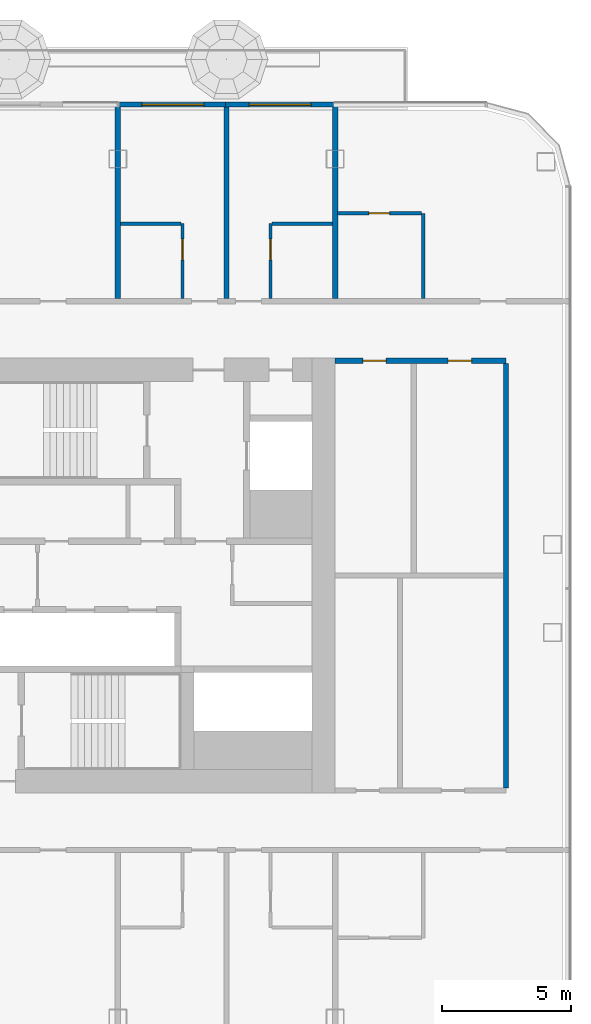
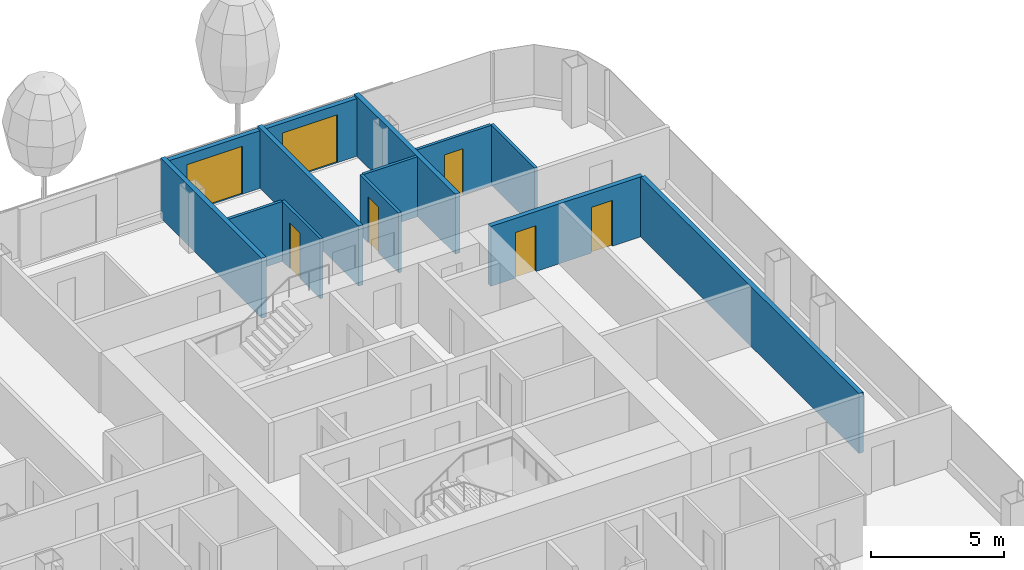
# One storey, part 16 of 30: 13 walls, 7 doors, 7 openings, 1 element without a shape of its own.
"""IFC4 building model written with IfcOpenShell, lengths in metres."""

from ifc_helpers import new_model, si_unit, direction, frame, frame_2d, origin, place, context, subcontext, project, spatial, rectangle, extrude, material, layer, layer_set, type_object, element, fill, aggregate, save


model = new_model("IFC4")

# Units and contexts
model_context = context("Model", 3, precision=1e-05, world=origin(), true_north=direction((0.0, 1.0)))
body_context = subcontext(model_context, "Body", "Model", "MODEL_VIEW")
ifc_project = project(units=[si_unit("LENGTHUNIT", "METRE"), si_unit("AREAUNIT", "SQUARE_METRE"), si_unit("VOLUMEUNIT", "CUBIC_METRE"), si_unit("PLANEANGLEUNIT", "RADIAN"), si_unit("MASSUNIT", "GRAM", prefix="KILO")], contexts=[model_context])

# Site, building, storey
site_placement = place(None, origin())
site = spatial("IfcSite", under=ifc_project, at=site_placement, CompositionType="ELEMENT")
building_placement = place(site_placement, origin())
building = spatial("IfcBuilding", under=site, at=building_placement, Name="Hakoniwa Tower and Hamabe Station Hall", CompositionType="ELEMENT")
storey_placement = place(building_placement, frame((0.0, 0.0, 137.39990234375)))
storey = spatial("IfcBuildingStorey", under=building, at=storey_placement, Name="L38", CompositionType="ELEMENT", Elevation=137.39990234375)

# Walls
ifc_material_1 = material(Name="Gypsum board partition", Category="gypsum")
ifc_layer_1 = layer(ifc_material_1, 0.125)
ifc_layer_set_1 = layer_set([ifc_layer_1], Name="Bathroom Partition 125")
wall_type_1 = type_object("IfcWallType", Name="Bathroom Partition 125", PredefinedType="PARTITIONING", material=ifc_layer_set_1)
for number, where, z_axis, x_axis, name in (
    (1, (25.300048828125, 13.60009765625, 0.0), (0.0, 0.0, 1.0), (1.0, 0.0, 0.0), "GW-L38-031"),
    (2, (31.16259765625, 13.60009765625, 0.0), (0.0, 0.0, 1.0), (1.0, 0.0, 0.0), "GW-L38-032"),
):
    element("IfcWall", number, at=place(storey_placement, frame(where, z_axis=z_axis, x_axis=x_axis)), inside=storey, type_object=wall_type_1, Name=name, PredefinedType="PARTITIONING", context=body_context, shape_type="SweptSolid", body=[
        extrude(rectangle(XDim=2.33740234375, YDim=0.125, at=frame_2d((1.168701171875, 0.0))), origin(), (0.0, 0.0, 1.0), 2.75),
    ])

# Wall, opening, door
wall_1_placement = place(storey_placement, frame((33.699951171875, 14.0, 0.0), z_axis=(0.0, 0.0, 1.0), x_axis=(1.0, 0.0, 0.0)))
wall_1 = element("IfcWall", 3, at=wall_1_placement, inside=storey, type_object=wall_type_1, Name="GW-L38-035", PredefinedType="PARTITIONING", context=body_context, shape_type="SweptSolid", body=[
    extrude(rectangle(XDim=3.237548828125, YDim=0.125, at=frame_2d((1.61865234375, 0.0))), origin(), (0.0, 0.0, 1.0), 2.75),
])
opening_1_placement = place(wall_1_placement, frame((1.199951171875, 0.0, 0.0)))
opening_1 = element("IfcOpeningElement", 4, at=opening_1_placement, cuts=wall_1, Name="Opening GD-G3C0-46", PredefinedType="OPENING", context=body_context, shape_type="SweptSolid", body=[
    extrude(rectangle(XDim=0.800048828125, YDim=2.10009765625, at=frame_2d((0.39990234375, 1.050048828125))), frame((0.0, 0.072509765625, 0.0), z_axis=(0.0, -1.0, 0.0), x_axis=(1.0, 0.0, 0.0)), (0.0, 0.0, 1.0), 0.14501953125),
])
ifc_material_2 = material(Name="Timber door leaf", Category="wood")
door_type_1 = type_object("IfcDoorType", Name="Bathroom Door 800", OperationType="SINGLE_SWING_LEFT", PredefinedType="DOOR", material=ifc_material_2)
door_1_placement = place(opening_1_placement, origin())
door_1 = element("IfcDoor", 5, at=door_1_placement, inside=storey, type_object=door_type_1, Name="Door GD-G3C0-46", OperationType="SINGLE_SWING_LEFT", OverallHeight=2.10009765625, OverallWidth=0.800048828125, PredefinedType="DOOR", context=body_context, shape_type="SweptSolid", body=[
    extrude(rectangle(XDim=0.800048828125, YDim=2.10009765625, at=frame_2d((0.39990234375, 1.050048828125))), frame((0.0, 0.02490234375, 0.0), z_axis=(0.0, -1.0, 0.0), x_axis=(1.0, 0.0, 0.0)), (0.0, 0.0, 1.0), 0.050048828125),
])
fill(opening_1, door_1)

wall_2_placement = place(storey_placement, frame((27.699951171875, 10.699951171875, 0.0), z_axis=(0.0, 0.0, 1.0), x_axis=(0.0, 1.0, 0.0)))
wall_2 = element("IfcWall", 6, at=wall_2_placement, inside=storey, type_object=wall_type_1, Name="GW-L38-082", PredefinedType="PARTITIONING", context=body_context, shape_type="SweptSolid", body=[
    extrude(rectangle(XDim=2.900146484375, YDim=0.125, at=frame_2d((1.4501953125, 0.0))), origin(), (0.0, 0.0, 1.0), 2.75),
])
opening_2_placement = place(wall_2_placement, frame((1.5, 0.0, 0.0)))
opening_2 = element("IfcOpeningElement", 7, at=opening_2_placement, cuts=wall_2, Name="Opening GD-G3C0-60", PredefinedType="OPENING", context=body_context, shape_type="SweptSolid", body=[
    extrude(rectangle(XDim=0.800048828125, YDim=2.10009765625, at=frame_2d((0.39990234375, 1.050048828125))), frame((0.0, 0.072509765625, 0.0), z_axis=(0.0, -1.0, 0.0), x_axis=(1.0, 0.0, 0.0)), (0.0, 0.0, 1.0), 0.14501953125),
])
door_2_placement = place(opening_2_placement, origin())
door_2 = element("IfcDoor", 8, at=door_2_placement, inside=storey, type_object=door_type_1, Name="Door GD-G3C0-60", OperationType="SINGLE_SWING_LEFT", OverallHeight=2.10009765625, OverallWidth=0.800048828125, PredefinedType="DOOR", context=body_context, shape_type="SweptSolid", body=[
    extrude(rectangle(XDim=0.800048828125, YDim=2.10009765625, at=frame_2d((0.39990234375, 1.050048828125))), frame((0.0, 0.02490234375, 0.0), z_axis=(0.0, -1.0, 0.0), x_axis=(1.0, 0.0, 0.0)), (0.0, 0.0, 1.0), 0.050048828125),
])
fill(opening_2, door_2)

wall_3_placement = place(storey_placement, frame((31.10009765625, 10.699951171875, 0.0), z_axis=(0.0, 0.0, 1.0), x_axis=(0.0, 1.0, 0.0)))
wall_3 = element("IfcWall", 9, at=wall_3_placement, inside=storey, type_object=wall_type_1, Name="GW-L38-086", PredefinedType="PARTITIONING", context=body_context, shape_type="SweptSolid", body=[
    extrude(rectangle(XDim=2.900146484375, YDim=0.125, at=frame_2d((1.4501953125, 0.0))), origin(), (0.0, 0.0, 1.0), 2.75),
])
opening_3_placement = place(wall_3_placement, frame((1.5, 0.0, 0.0)))
opening_3 = element("IfcOpeningElement", 10, at=opening_3_placement, cuts=wall_3, Name="Opening GD-G3C0-62", PredefinedType="OPENING", context=body_context, shape_type="SweptSolid", body=[
    extrude(rectangle(XDim=0.800048828125, YDim=2.10009765625, at=frame_2d((0.39990234375, 1.050048828125))), frame((0.0, 0.072509765625, 0.0), z_axis=(0.0, -1.0, 0.0), x_axis=(1.0, 0.0, 0.0)), (0.0, 0.0, 1.0), 0.14501953125),
])
door_3_placement = place(opening_3_placement, origin())
door_3 = element("IfcDoor", 11, at=door_3_placement, inside=storey, type_object=door_type_1, Name="Door GD-G3C0-62", OperationType="SINGLE_SWING_RIGHT", OverallHeight=2.10009765625, OverallWidth=0.800048828125, PredefinedType="DOOR", context=body_context, shape_type="SweptSolid", body=[
    extrude(rectangle(XDim=0.800048828125, YDim=2.10009765625, at=frame_2d((0.39990234375, 1.050048828125))), frame((0.0, 0.02490234375, 0.0), z_axis=(0.0, -1.0, 0.0), x_axis=(1.0, 0.0, 0.0)), (0.0, 0.0, 1.0), 0.050048828125),
])
fill(opening_3, door_3)

# Wall
wall_4_placement = place(storey_placement, frame((37.0, 10.699951171875, 0.0), z_axis=(0.0, 0.0, 1.0), x_axis=(0.0, 1.0, 0.0)))
element("IfcWall", 12, at=wall_4_placement, inside=storey, type_object=wall_type_1, Name="GW-L38-092", PredefinedType="PARTITIONING", context=body_context, shape_type="SweptSolid", body=[
    extrude(rectangle(XDim=3.300048828125, YDim=0.125, at=frame_2d((1.64990234375, 0.0))), origin(), (0.0, 0.0, 1.0), 2.75),
])

# Wall, openings, doors
ifc_material_3 = material(Name="Fire-rated gypsum board partition", Category="gypsum")
ifc_layer_2 = layer(ifc_material_3, 0.199951171875)
ifc_layer_set_2 = layer_set([ifc_layer_2], Name="Corridor Wall 200")
wall_type_2 = type_object("IfcWallType", Name="Corridor Wall 200", PredefinedType="PARTITIONING", material=ifc_layer_set_2)
wall_5_placement = place(storey_placement, frame((33.60009765625, 8.300048828125, 0.0), z_axis=(0.0, 0.0, 1.0), x_axis=(1.0, 0.0, 0.0)))
wall_5 = element("IfcWall", 13, at=wall_5_placement, inside=storey, type_object=wall_type_2, Name="GW-L38-024", PredefinedType="PARTITIONING", context=body_context, shape_type="SweptSolid", body=[
    extrude(rectangle(XDim=6.599853515625, YDim=0.199951171875, at=frame_2d((3.2998046875, 0.0))), origin(), (0.0, 0.0, 1.0), 2.75),
])
opening_4_placement = place(wall_5_placement, frame((1.070068359375, 0.0, 0.0)))
opening_4 = element("IfcOpeningElement", 14, at=opening_4_placement, cuts=wall_5, Name="Opening GD-G3C0-33", PredefinedType="OPENING", context=body_context, shape_type="SweptSolid", body=[
    extrude(rectangle(XDim=0.89990234375, YDim=2.10009765625, at=frame_2d((0.449951171875, 1.050048828125))), frame((0.0, 0.10986328125, 0.0), z_axis=(0.0, -1.0, 0.0), x_axis=(1.0, 0.0, 0.0)), (0.0, 0.0, 1.0), 0.219970703125),
])
opening_5_placement = place(wall_5_placement, frame((4.3701171875, 0.0, 0.0)))
opening_5 = element("IfcOpeningElement", 15, at=opening_5_placement, cuts=wall_5, Name="Opening GD-G3C0-34", PredefinedType="OPENING", context=body_context, shape_type="SweptSolid", body=[
    extrude(rectangle(XDim=0.89990234375, YDim=2.10009765625, at=frame_2d((0.449951171875, 1.050048828125))), frame((0.0, 0.10986328125, 0.0), z_axis=(0.0, -1.0, 0.0), x_axis=(1.0, 0.0, 0.0)), (0.0, 0.0, 1.0), 0.219970703125),
])
ifc_material_4 = material(Name="Timber door leaf", Category="wood")
door_type_2 = type_object("IfcDoorType", Name="Service Door 900", OperationType="SINGLE_SWING_LEFT", PredefinedType="DOOR", material=ifc_material_4)
door_4_placement = place(opening_4_placement, origin())
door_4 = element("IfcDoor", 16, at=door_4_placement, inside=storey, type_object=door_type_2, Name="Door GD-G3C0-33", OperationType="SINGLE_SWING_RIGHT", OverallHeight=2.10009765625, OverallWidth=0.89990234375, PredefinedType="DOOR", context=body_context, shape_type="SweptSolid", body=[
    extrude(rectangle(XDim=0.89990234375, YDim=2.10009765625, at=frame_2d((0.449951171875, 1.050048828125))), frame((0.0, 0.02490234375, 0.0), z_axis=(0.0, -1.0, 0.0), x_axis=(1.0, 0.0, 0.0)), (0.0, 0.0, 1.0), 0.050048828125),
])
fill(opening_4, door_4)
door_5_placement = place(opening_5_placement, origin())
door_5 = element("IfcDoor", 17, at=door_5_placement, inside=storey, type_object=door_type_2, Name="Door GD-G3C0-34", OperationType="SINGLE_SWING_RIGHT", OverallHeight=2.10009765625, OverallWidth=0.89990234375, PredefinedType="DOOR", context=body_context, shape_type="SweptSolid", body=[
    extrude(rectangle(XDim=0.89990234375, YDim=2.10009765625, at=frame_2d((0.449951171875, 1.050048828125))), frame((0.0, 0.02490234375, 0.0), z_axis=(0.0, -1.0, 0.0), x_axis=(1.0, 0.0, 0.0)), (0.0, 0.0, 1.0), 0.050048828125),
])
fill(opening_5, door_5)

# Curtain wall, walls, openings, doors
ifc_material_5 = material(Name="Dark low-e laminated glass", Category="glass")
ifc_layer_3 = layer(ifc_material_5, 0.199951171875)
ifc_layer_set_3 = layer_set([ifc_layer_3], Name="CW-1 UNITISED GUEST")
curtain_wall_type = type_object("IfcCurtainWallType", Name="CW-1 UNITISED GUEST", PredefinedType="NOTDEFINED", material=ifc_layer_set_3)
curtain_wall_placement = place(storey_placement, origin())
curtain_wall = element("IfcCurtainWall", 18, at=curtain_wall_placement, inside=storey, type_object=curtain_wall_type, Name="CW-1 curtain wall", PredefinedType="NOTDEFINED")
ifc_material_6 = material(Name="Dark glass-faced aluminium panel", Category="aluminium")
ifc_layer_4 = layer(ifc_material_6, 0.199951171875)
ifc_layer_set_4 = layer_set([ifc_layer_4], Name="DOOR BAY WALL")
wall_type_3 = type_object("IfcWallType", Name="DOOR BAY WALL", PredefinedType="NOTDEFINED", material=ifc_layer_set_4)
wall_6_placement = place(storey_placement, frame((33.580078125, 18.199951171875, 0.0), z_axis=(0.0, 0.0, 1.0), x_axis=(-1.0, 0.0, 0.0)))
wall_6 = element("IfcWall", 19, at=wall_6_placement, type_object=wall_type_3, Name="Door bay wall", PredefinedType="NOTDEFINED", context=body_context, shape_type="SweptSolid", body=[
    extrude(rectangle(XDim=4.219970703125, YDim=0.199951171875, at=frame_2d((2.10986328125, 0.0))), origin(), (0.0, 0.0, 1.0), 2.650146484375),
])
opening_6_placement = place(wall_6_placement, frame((0.909912109375, 0.0, 0.0)))
opening_6 = element("IfcOpeningElement", 20, at=opening_6_placement, cuts=wall_6, Name="Opening BD-N03-13", PredefinedType="OPENING", context=body_context, shape_type="SweptSolid", body=[
    extrude(rectangle(XDim=2.39990234375, YDim=2.199951171875, at=frame_2d((1.199951171875, 1.10009765625))), frame((0.0, 0.10986328125, 0.0), z_axis=(0.0, -1.0, 0.0), x_axis=(1.0, 0.0, 0.0)), (0.0, 0.0, 1.0), 0.219970703125),
])
ifc_material_7 = material(Name="Dark low-e laminated glass", Category="glass")
door_type_3 = type_object("IfcDoorType", Name="BALCONY SLIDING DOOR 2400X2200", OperationType="SLIDING_TO_LEFT", PredefinedType="DOOR", material=ifc_material_7)
door_6_placement = place(opening_6_placement, frame((2.39990234375, 0.0, 0.0), z_axis=(0.0, 0.0, 1.0), x_axis=(-1.0, 0.0, 0.0)))
door_6 = element("IfcDoor", 21, at=door_6_placement, inside=storey, type_object=door_type_3, Name="Balcony sliding door", OperationType="SLIDING_TO_LEFT", OverallHeight=2.199951171875, OverallWidth=2.39990234375, PredefinedType="DOOR", context=body_context, shape_type="SweptSolid", body=[
    extrude(rectangle(XDim=2.39990234375, YDim=2.199951171875, at=frame_2d((1.199951171875, 1.10009765625))), frame((0.0, 0.02490234375, 0.0), z_axis=(0.0, -1.0, 0.0), x_axis=(1.0, 0.0, 0.0)), (0.0, 0.0, 1.0), 0.050048828125),
])
fill(opening_6, door_6)
wall_7_placement = place(storey_placement, frame((29.43994140625, 18.199951171875, 0.0), z_axis=(0.0, 0.0, 1.0), x_axis=(-1.0, 0.0, 0.0)))
wall_7 = element("IfcWall", 22, at=wall_7_placement, type_object=wall_type_3, Name="Door bay wall", PredefinedType="NOTDEFINED", context=body_context, shape_type="SweptSolid", body=[
    extrude(rectangle(XDim=4.219970703125, YDim=0.199951171875, at=frame_2d((2.10986328125, 0.0))), origin(), (0.0, 0.0, 1.0), 2.650146484375),
])
opening_7_placement = place(wall_7_placement, frame((0.909912109375, 0.0, 0.0)))
opening_7 = element("IfcOpeningElement", 23, at=opening_7_placement, cuts=wall_7, Name="Opening BD-N03-12", PredefinedType="OPENING", context=body_context, shape_type="SweptSolid", body=[
    extrude(rectangle(XDim=2.39990234375, YDim=2.199951171875, at=frame_2d((1.199951171875, 1.10009765625))), frame((0.0, 0.10986328125, 0.0), z_axis=(0.0, -1.0, 0.0), x_axis=(1.0, 0.0, 0.0)), (0.0, 0.0, 1.0), 0.219970703125),
])
door_7_placement = place(opening_7_placement, frame((2.39990234375, 0.0, 0.0), z_axis=(0.0, 0.0, 1.0), x_axis=(-1.0, 0.0, 0.0)))
door_7 = element("IfcDoor", 24, at=door_7_placement, inside=storey, type_object=door_type_3, Name="Balcony sliding door", OperationType="SLIDING_TO_LEFT", OverallHeight=2.199951171875, OverallWidth=2.39990234375, PredefinedType="DOOR", context=body_context, shape_type="SweptSolid", body=[
    extrude(rectangle(XDim=2.39990234375, YDim=2.199951171875, at=frame_2d((1.199951171875, 1.10009765625))), frame((0.0, 0.02490234375, 0.0), z_axis=(0.0, -1.0, 0.0), x_axis=(1.0, 0.0, 0.0)), (0.0, 0.0, 1.0), 0.050048828125),
])
fill(opening_7, door_7)
aggregate(curtain_wall, [wall_6, wall_7])

# Walls
ifc_material_8 = material(Name="Fire-rated gypsum board partition", Category="gypsum")
ifc_layer_5 = layer(ifc_material_8, 0.199951171875)
ifc_layer_set_5 = layer_set([ifc_layer_5], Name="Party Wall 200")
wall_type_4 = type_object("IfcWallType", Name="Party Wall 200", PredefinedType="PARTITIONING", material=ifc_layer_set_5)
for number, where, z_axis, x_axis, name in (
    (25, (25.199951171875, 10.699951171875, 0.0), (0.0, 0.0, 1.0), (0.0, 1.0, 0.0), "GW-L38-080"),
    (26, (29.39990234375, 10.699951171875, 0.0), (0.0, 0.0, 1.0), (0.0, 1.0, 0.0), "GW-L38-084"),
    (27, (33.60009765625, 10.699951171875, 0.0), (0.0, 0.0, 1.0), (0.0, 1.0, 0.0), "GW-L38-088"),
):
    element("IfcWall", number, at=place(storey_placement, frame(where, z_axis=z_axis, x_axis=x_axis)), inside=storey, type_object=wall_type_4, Name=name, PredefinedType="PARTITIONING", context=body_context, shape_type="SweptSolid", body=[
        extrude(rectangle(XDim=7.60009765625, YDim=0.199951171875, at=frame_2d((3.800048828125, 0.0))), origin(), (0.0, 0.0, 1.0), 2.75),
    ])
wall_8_placement = place(storey_placement, frame((40.199951171875, -8.199951171875, 0.0), z_axis=(0.0, 0.0, 1.0), x_axis=(0.0, 1.0, 0.0)))
element("IfcWall", 28, at=wall_8_placement, inside=storey, type_object=wall_type_4, Name="GW-L38-093", PredefinedType="PARTITIONING", context=body_context, shape_type="SweptSolid", body=[
    extrude(rectangle(XDim=16.39990234375, YDim=0.199951171875, at=frame_2d((8.199951171875, 0.0))), origin(), (0.0, 0.0, 1.0), 2.75),
])

save(model, "model.ifc")
